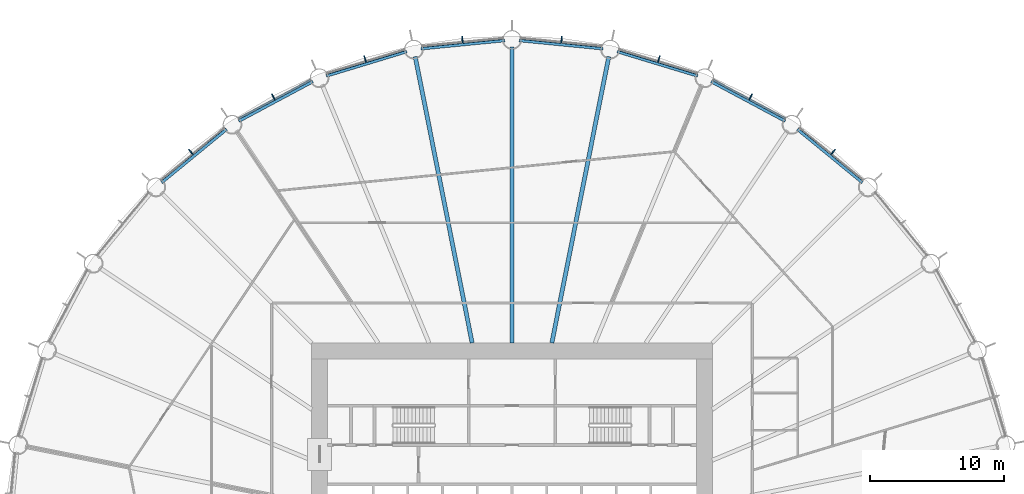
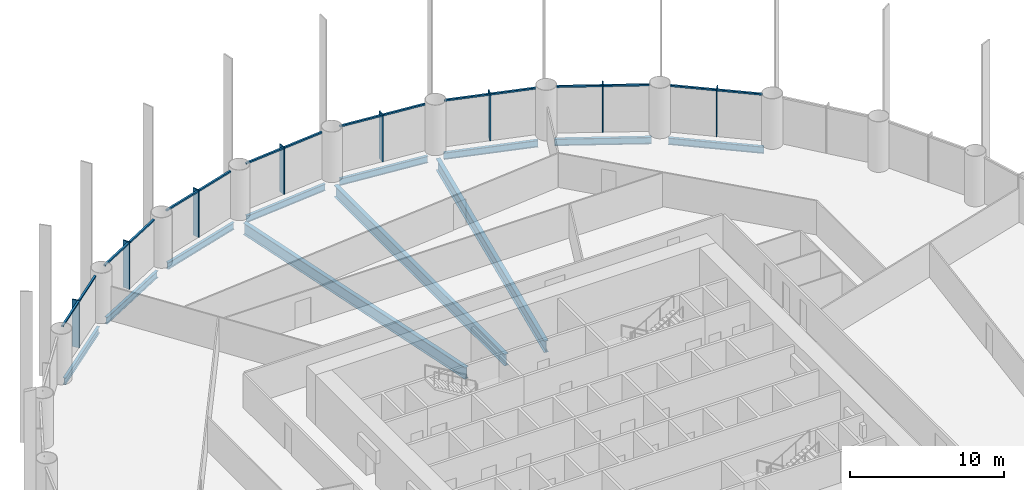
# One storey, part 6 of 14: 24 members, 11 beams, 8 elements without a shape of their own.
"""IFC4 building model written with IfcOpenShell, lengths in metres."""

from ifc_helpers import new_model, si_unit, direction, frame, origin, origin_2d, place, context, subcontext, project, spatial, rectangle, i_section, extrude, material, material_profile, profile_set, type_object, element, aggregate, save


model = new_model("IFC4")

# Units and contexts
model_context = context("Model", 3, precision=1e-05, world=origin(), true_north=direction((0.0, 1.0)))
body_context = subcontext(model_context, "Body", "Model", "MODEL_VIEW")
ifc_project = project(units=[si_unit("LENGTHUNIT", "METRE"), si_unit("AREAUNIT", "SQUARE_METRE"), si_unit("VOLUMEUNIT", "CUBIC_METRE"), si_unit("PLANEANGLEUNIT", "RADIAN"), si_unit("MASSUNIT", "GRAM", prefix="KILO")], contexts=[model_context])

# Site, building, storey
site_placement = place(None, origin())
site = spatial("IfcSite", under=ifc_project, at=site_placement, CompositionType="ELEMENT")
building_placement = place(site_placement, origin())
building = spatial("IfcBuilding", under=site, at=building_placement, Name="Corvane Civic Tower", CompositionType="ELEMENT")
storey_placement = place(building_placement, frame((0.0, 0.0, 53.0)))
storey = spatial("IfcBuildingStorey", under=building, at=storey_placement, Name="L11", CompositionType="ELEMENT", Elevation=53.0)

# Beams
ifc_material_1 = material(Name="Steel ASTM A992 Gr 50", Category="steel")
ifc_material_profile_1 = material_profile(ifc_material_1, i_section(OverallWidth=0.209228515625, OverallDepth=0.533447265625, WebThickness=0.01025390625, FlangeThickness=0.015625, at=origin_2d()), Name="W21X62")
ifc_profile_set_1 = profile_set([ifc_material_profile_1], Name="Steel ASTM A992 Gr 50")
beam_type_1 = type_object("IfcBeamType", Name="EDGE BEAM W21X62", PredefinedType="BEAM", material=ifc_profile_set_1)
beam_1_placement = place(storey_placement, frame((0.54736328125, 37.64599609375, -0.566650390625), z_axis=(0.995186682089, -0.097997284622, 0.0), x_axis=(0.097997284622, 0.995186682089, 0.0)))
element("IfcBeam", 1, at=beam_1_placement, inside=storey, type_object=beam_type_1, Name="BM-L11-E01", PredefinedType="BEAM", context=body_context, shape_type="SweptSolid", body=[
    extrude(i_section(OverallWidth=0.209228515625, OverallDepth=0.533447265625, WebThickness=0.01025390625, FlangeThickness=0.015625, at=origin_2d()), origin(), (0.0, 0.0, 1.0), 6.29052734375),
])
for number, where, z_axis, x_axis, name in (
    (2, (7.88134765625, 36.81591796875, -0.566650390625), (0.956943740748, -0.290273452184, 0.0), (0.290273452184, 0.956943740748, 0.0), "BM-L11-E02"),
    (3, (14.912353515625, 34.571044921875, -0.566650390625), (0.881916367906, -0.471405897311, 0.0), (0.471405897311, 0.881916367906, 0.0), "BM-L11-E03"),
):
    element("IfcBeam", number, at=place(storey_placement, frame(where, z_axis=z_axis, x_axis=x_axis)), inside=storey, type_object=beam_type_1, Name=name, PredefinedType="BEAM", context=body_context, shape_type="SweptSolid", body=[
        extrude(i_section(OverallWidth=0.209228515625, OverallDepth=0.533447265625, WebThickness=0.01025390625, FlangeThickness=0.015625, at=origin_2d()), origin(), (0.0, 0.0, 1.0), 6.290283203125),
    ])
for number, where, z_axis, x_axis, name in (
    (4, (21.3701171875, 30.99755859375, -0.566650390625), (0.773015785286, -0.634386787141, 0.0), (0.634386787141, 0.773015785286, 0.0), "BM-L11-E04"),
    (5, (-26.23291015625, 27.0068359375, -0.566650390625), (0.773015785286, 0.634386787141, 0.0), (-0.634386787141, 0.773015785286, 0.0), "BM-L11-E29"),
):
    element("IfcBeam", number, at=place(storey_placement, frame(where, z_axis=z_axis, x_axis=x_axis)), inside=storey, type_object=beam_type_1, Name=name, PredefinedType="BEAM", context=body_context, shape_type="SweptSolid", body=[
        extrude(i_section(OverallWidth=0.209228515625, OverallDepth=0.533447265625, WebThickness=0.01025390625, FlangeThickness=0.015625, at=origin_2d()), origin(), (0.0, 0.0, 1.0), 6.290771484375),
    ])
for number, where, z_axis, x_axis, name in (
    (6, (-20.4599609375, 31.605712890625, -0.566650390625), (0.881916367906, 0.471405897311, 0.0), (-0.471405897311, 0.881916367906, 0.0), "BM-L11-E30"),
    (7, (-13.90087890625, 34.989990234375, -0.566650390625), (0.956943740748, 0.290273452184, 0.0), (-0.290273452184, 0.956943740748, 0.0), "BM-L11-E31"),
):
    element("IfcBeam", number, at=place(storey_placement, frame(where, z_axis=z_axis, x_axis=x_axis)), inside=storey, type_object=beam_type_1, Name=name, PredefinedType="BEAM", context=body_context, shape_type="SweptSolid", body=[
        extrude(i_section(OverallWidth=0.209228515625, OverallDepth=0.533447265625, WebThickness=0.01025390625, FlangeThickness=0.015625, at=origin_2d()), origin(), (0.0, 0.0, 1.0), 6.290283203125),
    ])
beam_2_placement = place(storey_placement, frame((-6.8076171875, 37.029541015625, -0.566650390625), z_axis=(0.995186682089, 0.097997284622, 0.0), x_axis=(-0.097997284622, 0.995186682089, 0.0)))
element("IfcBeam", 8, at=beam_2_placement, inside=storey, type_object=beam_type_1, Name="BM-L11-E32", PredefinedType="BEAM", context=body_context, shape_type="SweptSolid", body=[
    extrude(i_section(OverallWidth=0.209228515625, OverallDepth=0.533447265625, WebThickness=0.01025390625, FlangeThickness=0.015625, at=origin_2d()), origin(), (0.0, 0.0, 1.0), 6.29052734375),
])
ifc_material_2 = material(Name="Steel ASTM A992 Gr 50", Category="steel")
ifc_material_profile_2 = material_profile(ifc_material_2, i_section(OverallWidth=0.307373046875, OverallDepth=0.927001953125, WebThickness=0.01953125, FlangeThickness=0.031982421875, at=origin_2d()), Name="W36X194")
ifc_profile_set_2 = profile_set([ifc_material_profile_2], Name="Steel ASTM A992 Gr 50")
beam_type_2 = type_object("IfcBeamType", Name="FLOOR GIRDER W36X194", PredefinedType="BEAM", material=ifc_profile_set_2)
beam_3_placement = place(storey_placement, frame((0.0, 15.0, -0.763671875), z_axis=(0.0, 1.0, 0.0), x_axis=(-1.0, 0.0, 0.0)))
element("IfcBeam", 9, at=beam_3_placement, inside=storey, type_object=beam_type_2, Name="BM-L11-G01", PredefinedType="BEAM", context=body_context, shape_type="SweptSolid", body=[
    extrude(i_section(OverallWidth=0.307373046875, OverallDepth=0.927001953125, WebThickness=0.01953125, FlangeThickness=0.031982421875, at=origin_2d()), origin(), (0.0, 0.0, 1.0), 22.14990234375),
])
for number, where, z_axis, x_axis, name in (
    (10, (2.983642578125, 15.0, -0.763671875), (0.195089219638, 0.980785499679, 0.0), (-0.980785499679, 0.195089219638, 0.0), "BM-L11-G02"),
    (11, (-2.983642578125, 15.0, -0.763671875), (-0.195089219638, 0.980785499679, 0.0), (-0.980785499679, -0.195089219638, 0.0), "BM-L11-G32"),
):
    element("IfcBeam", number, at=place(storey_placement, frame(where, z_axis=z_axis, x_axis=x_axis)), inside=storey, type_object=beam_type_2, Name=name, PredefinedType="BEAM", context=body_context, shape_type="SweptSolid", body=[
        extrude(i_section(OverallWidth=0.307373046875, OverallDepth=0.927001953125, WebThickness=0.01953125, FlangeThickness=0.031982421875, at=origin_2d()), origin(), (0.0, 0.0, 1.0), 21.856201171875),
    ])

# Curtain wall, members
ifc_material_3 = material(Name="Anodised aluminium bronze", Category="aluminium")
curtain_wall_type = type_object("IfcCurtainWallType", Name="TOWER CW-T1 STICK CURTAIN WALL", PredefinedType="NOTDEFINED", material=ifc_material_3)
curtain_wall_1_placement = place(storey_placement, origin())
curtain_wall_1 = element("IfcCurtainWall", 12, at=curtain_wall_1_placement, inside=storey, type_object=curtain_wall_type, Name="Curtain wall CW-T1 L11 bay 01", PredefinedType="NOTDEFINED")
ifc_material_4 = material(Name="Anodised aluminium bronze", Category="aluminium")
ifc_material_profile_3 = material_profile(ifc_material_4, rectangle(XDim=0.139892578125, YDim=0.1201171875, at=origin_2d()), Name="TOWER CW-T1 TRANSOM 140x120")
ifc_profile_set_3 = profile_set([ifc_material_profile_3], Name="Anodised aluminium bronze")
member_type_1 = type_object("IfcMemberType", Name="TOWER CW-T1 TRANSOM 140x120", PredefinedType="USERDEFINED", material=ifc_profile_set_3)
member_1_placement = place(storey_placement, frame((0.6611328125, 37.814697265625, 3.68994140625), z_axis=(0.995191836722, -0.097944923917, 0.0), x_axis=(0.097944923917, 0.995191836722, 0.0)))
member_1 = element("IfcMember", 13, at=member_1_placement, type_object=member_type_1, Name="Transom CW-T1 L11 01.1", ObjectType="TRANSOM", PredefinedType="USERDEFINED", context=body_context, shape_type="SweptSolid", body=[
    extrude(rectangle(XDim=0.139892578125, YDim=0.1201171875, at=origin_2d()), origin(), (0.0, 0.0, 1.0), 3.008544921875),
])
member_2_placement = place(storey_placement, frame((3.73486328125, 37.511962890625, 3.68994140625), z_axis=(0.995191836722, -0.097944923917, 0.0), x_axis=(0.097944923917, 0.995191836722, 0.0)))
member_2 = element("IfcMember", 14, at=member_2_placement, type_object=member_type_1, Name="Transom CW-T1 L11 01.2", ObjectType="TRANSOM", PredefinedType="USERDEFINED", context=body_context, shape_type="SweptSolid", body=[
    extrude(rectangle(XDim=0.139892578125, YDim=0.1201171875, at=origin_2d()), origin(), (0.0, 0.0, 1.0), 3.008544921875),
])

curtain_wall_2_placement = place(storey_placement, origin())
curtain_wall_2 = element("IfcCurtainWall", 15, at=curtain_wall_2_placement, inside=storey, type_object=curtain_wall_type, Name="Curtain wall CW-T1 L11 bay 02", PredefinedType="NOTDEFINED")
member_3_placement = place(storey_placement, frame((8.02587890625, 36.959228515625, 3.68994140625), z_axis=(0.956941780555, -0.290279914268, 0.0), x_axis=(0.290279914268, 0.956941780555, 0.0)))
member_3 = element("IfcMember", 16, at=member_3_placement, type_object=member_type_1, Name="Transom CW-T1 L11 02.1", ObjectType="TRANSOM", PredefinedType="USERDEFINED", context=body_context, shape_type="SweptSolid", body=[
    extrude(rectangle(XDim=0.139892578125, YDim=0.1201171875, at=origin_2d()), origin(), (0.0, 0.0, 1.0), 3.008544921875),
])
member_4_placement = place(storey_placement, frame((10.9814453125, 36.062744140625, 3.68994140625), z_axis=(0.956941780555, -0.290279914268, 0.0), x_axis=(0.290279914268, 0.956941780555, 0.0)))
member_4 = element("IfcMember", 17, at=member_4_placement, type_object=member_type_1, Name="Transom CW-T1 L11 02.2", ObjectType="TRANSOM", PredefinedType="USERDEFINED", context=body_context, shape_type="SweptSolid", body=[
    extrude(rectangle(XDim=0.139892578125, YDim=0.1201171875, at=origin_2d()), origin(), (0.0, 0.0, 1.0), 3.008544921875),
])

curtain_wall_3_placement = place(storey_placement, origin())
curtain_wall_3 = element("IfcCurtainWall", 18, at=curtain_wall_3_placement, inside=storey, type_object=curtain_wall_type, Name="Curtain wall CW-T1 L11 bay 03", PredefinedType="NOTDEFINED")
member_5_placement = place(storey_placement, frame((15.08203125, 34.683349609375, 3.68994140625), z_axis=(0.881923525532, -0.471392506424, 0.0), x_axis=(0.471392506424, 0.881923525532, 0.0)))
member_5 = element("IfcMember", 19, at=member_5_placement, type_object=member_type_1, Name="Transom CW-T1 L11 03.1", ObjectType="TRANSOM", PredefinedType="USERDEFINED", context=body_context, shape_type="SweptSolid", body=[
    extrude(rectangle(XDim=0.139892578125, YDim=0.1201171875, at=origin_2d()), origin(), (0.0, 0.0, 1.0), 3.008544921875),
])
member_6_placement = place(storey_placement, frame((17.805908203125, 33.2275390625, 3.68994140625), z_axis=(0.881923525532, -0.471392506424, 0.0), x_axis=(0.471392506424, 0.881923525532, 0.0)))
member_6 = element("IfcMember", 20, at=member_6_placement, type_object=member_type_1, Name="Transom CW-T1 L11 03.2", ObjectType="TRANSOM", PredefinedType="USERDEFINED", context=body_context, shape_type="SweptSolid", body=[
    extrude(rectangle(XDim=0.139892578125, YDim=0.1201171875, at=origin_2d()), origin(), (0.0, 0.0, 1.0), 3.008544921875),
])

curtain_wall_4_placement = place(storey_placement, origin())
curtain_wall_4 = element("IfcCurtainWall", 21, at=curtain_wall_4_placement, inside=storey, type_object=curtain_wall_type, Name="Curtain wall CW-T1 L11 bay 04", PredefinedType="NOTDEFINED")
member_7_placement = place(storey_placement, frame((21.55859375, 31.074462890625, 3.68994140625), z_axis=(0.773041738279, -0.634355161466, 0.0), x_axis=(0.634355161466, 0.773041738279, 0.0)))
member_7 = element("IfcMember", 22, at=member_7_placement, type_object=member_type_1, Name="Transom CW-T1 L11 04.1", ObjectType="TRANSOM", PredefinedType="USERDEFINED", context=body_context, shape_type="SweptSolid", body=[
    extrude(rectangle(XDim=0.139892578125, YDim=0.1201171875, at=origin_2d()), origin(), (0.0, 0.0, 1.0), 3.008544921875),
])
member_8_placement = place(storey_placement, frame((23.946044921875, 29.115234375, 3.68994140625), z_axis=(0.773001943873, -0.634403652865, 0.0), x_axis=(0.634403652865, 0.773001943873, 0.0)))
member_8 = element("IfcMember", 23, at=member_8_placement, type_object=member_type_1, Name="Transom CW-T1 L11 04.2", ObjectType="TRANSOM", PredefinedType="USERDEFINED", context=body_context, shape_type="SweptSolid", body=[
    extrude(rectangle(XDim=0.139892578125, YDim=0.1201171875, at=origin_2d()), origin(), (0.0, 0.0, 1.0), 3.008544921875),
])

curtain_wall_5_placement = place(storey_placement, origin())
curtain_wall_5 = element("IfcCurtainWall", 24, at=curtain_wall_5_placement, inside=storey, type_object=curtain_wall_type, Name="Curtain wall CW-T1 L11 bay 29", PredefinedType="NOTDEFINED")
member_9_placement = place(storey_placement, frame((-26.271728515625, 27.20654296875, 3.68994140625), z_axis=(0.773001943873, 0.634403652865, 0.0), x_axis=(-0.634403652865, 0.773001943873, 0.0)))
member_9 = element("IfcMember", 25, at=member_9_placement, type_object=member_type_1, Name="Transom CW-T1 L11 29.1", ObjectType="TRANSOM", PredefinedType="USERDEFINED", context=body_context, shape_type="SweptSolid", body=[
    extrude(rectangle(XDim=0.139892578125, YDim=0.1201171875, at=origin_2d()), origin(), (0.0, 0.0, 1.0), 3.008544921875),
])
member_10_placement = place(storey_placement, frame((-23.88427734375, 29.166015625, 3.68994140625), z_axis=(0.773041738279, 0.634355161466, 0.0), x_axis=(-0.634355161466, 0.773041738279, 0.0)))
member_10 = element("IfcMember", 26, at=member_10_placement, type_object=member_type_1, Name="Transom CW-T1 L11 29.2", ObjectType="TRANSOM", PredefinedType="USERDEFINED", context=body_context, shape_type="SweptSolid", body=[
    extrude(rectangle(XDim=0.139892578125, YDim=0.1201171875, at=origin_2d()), origin(), (0.0, 0.0, 1.0), 3.008544921875),
])

curtain_wall_6_placement = place(storey_placement, origin())
curtain_wall_6 = element("IfcCurtainWall", 27, at=curtain_wall_6_placement, inside=storey, type_object=curtain_wall_type, Name="Curtain wall CW-T1 L11 bay 30", PredefinedType="NOTDEFINED")
member_11_placement = place(storey_placement, frame((-20.459228515625, 31.809326171875, 3.68994140625), z_axis=(0.881923525532, 0.471392506424, 0.0), x_axis=(-0.471392506424, 0.881923525532, 0.0)))
member_11 = element("IfcMember", 28, at=member_11_placement, type_object=member_type_1, Name="Transom CW-T1 L11 30.1", ObjectType="TRANSOM", PredefinedType="USERDEFINED", context=body_context, shape_type="SweptSolid", body=[
    extrude(rectangle(XDim=0.139892578125, YDim=0.1201171875, at=origin_2d()), origin(), (0.0, 0.0, 1.0), 3.008544921875),
])
member_12_placement = place(storey_placement, frame((-17.7353515625, 33.26513671875, 3.68994140625), z_axis=(0.881923525532, 0.471392506424, 0.0), x_axis=(-0.471392506424, 0.881923525532, 0.0)))
member_12 = element("IfcMember", 29, at=member_12_placement, type_object=member_type_1, Name="Transom CW-T1 L11 30.2", ObjectType="TRANSOM", PredefinedType="USERDEFINED", context=body_context, shape_type="SweptSolid", body=[
    extrude(rectangle(XDim=0.139892578125, YDim=0.1201171875, at=origin_2d()), origin(), (0.0, 0.0, 1.0), 3.008544921875),
])

curtain_wall_7_placement = place(storey_placement, origin())
curtain_wall_7 = element("IfcCurtainWall", 30, at=curtain_wall_7_placement, inside=storey, type_object=curtain_wall_type, Name="Curtain wall CW-T1 L11 bay 31", PredefinedType="NOTDEFINED")
member_13_placement = place(storey_placement, frame((-13.8603515625, 35.189453125, 3.68994140625), z_axis=(0.956941780555, 0.290279914268, 0.0), x_axis=(-0.290279914268, 0.956941780555, 0.0)))
member_13 = element("IfcMember", 31, at=member_13_placement, type_object=member_type_1, Name="Transom CW-T1 L11 31.1", ObjectType="TRANSOM", PredefinedType="USERDEFINED", context=body_context, shape_type="SweptSolid", body=[
    extrude(rectangle(XDim=0.139892578125, YDim=0.1201171875, at=origin_2d()), origin(), (0.0, 0.0, 1.0), 3.008544921875),
])
member_14_placement = place(storey_placement, frame((-10.90478515625, 36.0859375, 3.68994140625), z_axis=(0.956941780555, 0.290279914268, 0.0), x_axis=(-0.290279914268, 0.956941780555, 0.0)))
member_14 = element("IfcMember", 32, at=member_14_placement, type_object=member_type_1, Name="Transom CW-T1 L11 31.2", ObjectType="TRANSOM", PredefinedType="USERDEFINED", context=body_context, shape_type="SweptSolid", body=[
    extrude(rectangle(XDim=0.139892578125, YDim=0.1201171875, at=origin_2d()), origin(), (0.0, 0.0, 1.0), 3.008544921875),
])

curtain_wall_8_placement = place(storey_placement, origin())
curtain_wall_8 = element("IfcCurtainWall", 33, at=curtain_wall_8_placement, inside=storey, type_object=curtain_wall_type, Name="Curtain wall CW-T1 L11 bay 32", PredefinedType="NOTDEFINED")
member_15_placement = place(storey_placement, frame((-6.72900390625, 37.21728515625, 3.68994140625), z_axis=(0.995191836722, 0.097944923917, 0.0), x_axis=(-0.097944923917, 0.995191836722, 0.0)))
member_15 = element("IfcMember", 34, at=member_15_placement, type_object=member_type_1, Name="Transom CW-T1 L11 32.1", ObjectType="TRANSOM", PredefinedType="USERDEFINED", context=body_context, shape_type="SweptSolid", body=[
    extrude(rectangle(XDim=0.139892578125, YDim=0.1201171875, at=origin_2d()), origin(), (0.0, 0.0, 1.0), 3.008544921875),
])
member_16_placement = place(storey_placement, frame((-3.6552734375, 37.52001953125, 3.68994140625), z_axis=(0.995191836722, 0.097944923917, 0.0), x_axis=(-0.097944923917, 0.995191836722, 0.0)))
member_16 = element("IfcMember", 35, at=member_16_placement, type_object=member_type_1, Name="Transom CW-T1 L11 32.2", ObjectType="TRANSOM", PredefinedType="USERDEFINED", context=body_context, shape_type="SweptSolid", body=[
    extrude(rectangle(XDim=0.139892578125, YDim=0.1201171875, at=origin_2d()), origin(), (0.0, 0.0, 1.0), 3.008544921875),
])

# Member
ifc_material_5 = material(Name="Anodised aluminium bronze", Category="aluminium")
ifc_material_profile_4 = material_profile(ifc_material_5, rectangle(XDim=0.080078125, YDim=0.5, at=origin_2d()), Name="TOWER FIN MULLION 80x500 BRONZE")
ifc_profile_set_4 = profile_set([ifc_material_profile_4], Name="Anodised aluminium bronze")
member_type_2 = type_object("IfcMemberType", Name="TOWER FIN MULLION 80x500 BRONZE", PredefinedType="MULLION", material=ifc_profile_set_4)
member_17_placement = place(storey_placement, frame((3.714599609375, 37.715087890625, 0.0), z_axis=(0.0, 0.0, 1.0), x_axis=(0.995185800248, -0.098006239521, 0.0)))
member_17 = element("IfcMember", 36, at=member_17_placement, type_object=member_type_2, Name="Fin mullion 01 L11", PredefinedType="MULLION", context=body_context, shape_type="SweptSolid", body=[
    extrude(rectangle(XDim=0.080078125, YDim=0.5, at=origin_2d()), origin(), (0.0, 0.0, 1.0), 3.75),
])

aggregate(curtain_wall_1, [member_17, member_1, member_2])

member_18_placement = place(storey_placement, frame((11.001220703125, 36.265625, 0.0), z_axis=(0.0, 0.0, 1.0), x_axis=(0.956942240606, -0.290278397654, 0.0)))
member_18 = element("IfcMember", 37, at=member_18_placement, type_object=member_type_2, Name="Fin mullion 02 L11", PredefinedType="MULLION", context=body_context, shape_type="SweptSolid", body=[
    extrude(rectangle(XDim=0.080078125, YDim=0.5, at=origin_2d()), origin(), (0.0, 0.0, 1.0), 3.75),
])

aggregate(curtain_wall_2, [member_18, member_3, member_4])

member_19_placement = place(storey_placement, frame((17.86474609375, 33.422607421875, 0.0), z_axis=(0.0, 0.0, 1.0), x_axis=(0.881917528864, -0.471403725359, 0.0)))
member_19 = element("IfcMember", 38, at=member_19_placement, type_object=member_type_2, Name="Fin mullion 03 L11", PredefinedType="MULLION", context=body_context, shape_type="SweptSolid", body=[
    extrude(rectangle(XDim=0.080078125, YDim=0.5, at=origin_2d()), origin(), (0.0, 0.0, 1.0), 3.75),
])

aggregate(curtain_wall_3, [member_19, member_5, member_6])

member_20_placement = place(storey_placement, frame((24.0419921875, 29.295166015625, 0.0), z_axis=(0.0, 0.0, 1.0), x_axis=(0.773007224463, -0.634397218569, 0.0)))
member_20 = element("IfcMember", 39, at=member_20_placement, type_object=member_type_2, Name="Fin mullion 04 L11", PredefinedType="MULLION", context=body_context, shape_type="SweptSolid", body=[
    extrude(rectangle(XDim=0.080078125, YDim=0.5, at=origin_2d()), origin(), (0.0, 0.0, 1.0), 3.75),
])

aggregate(curtain_wall_4, [member_20, member_7, member_8])

member_21_placement = place(storey_placement, frame((-24.0419921875, 29.295166015625, 0.0), z_axis=(0.0, 0.0, 1.0), x_axis=(0.773007224463, 0.634397218569, 0.0)))
member_21 = element("IfcMember", 40, at=member_21_placement, type_object=member_type_2, Name="Fin mullion 29 L11", PredefinedType="MULLION", context=body_context, shape_type="SweptSolid", body=[
    extrude(rectangle(XDim=0.080078125, YDim=0.5, at=origin_2d()), origin(), (0.0, 0.0, 1.0), 3.75),
])

aggregate(curtain_wall_5, [member_21, member_9, member_10])

member_22_placement = place(storey_placement, frame((-17.86474609375, 33.422607421875, 0.0), z_axis=(0.0, 0.0, 1.0), x_axis=(0.881917528864, 0.471403725359, 0.0)))
member_22 = element("IfcMember", 41, at=member_22_placement, type_object=member_type_2, Name="Fin mullion 30 L11", PredefinedType="MULLION", context=body_context, shape_type="SweptSolid", body=[
    extrude(rectangle(XDim=0.080078125, YDim=0.5, at=origin_2d()), origin(), (0.0, 0.0, 1.0), 3.75),
])

aggregate(curtain_wall_6, [member_22, member_11, member_12])

member_23_placement = place(storey_placement, frame((-11.001220703125, 36.265625, 0.0), z_axis=(0.0, 0.0, 1.0), x_axis=(0.956942240606, 0.290278397654, 0.0)))
member_23 = element("IfcMember", 42, at=member_23_placement, type_object=member_type_2, Name="Fin mullion 31 L11", PredefinedType="MULLION", context=body_context, shape_type="SweptSolid", body=[
    extrude(rectangle(XDim=0.080078125, YDim=0.5, at=origin_2d()), origin(), (0.0, 0.0, 1.0), 3.75),
])

aggregate(curtain_wall_7, [member_23, member_13, member_14])

member_24_placement = place(storey_placement, frame((-3.714599609375, 37.715087890625, 0.0), z_axis=(0.0, 0.0, 1.0), x_axis=(0.995185800248, 0.098006239521, 0.0)))
member_24 = element("IfcMember", 43, at=member_24_placement, type_object=member_type_2, Name="Fin mullion 32 L11", PredefinedType="MULLION", context=body_context, shape_type="SweptSolid", body=[
    extrude(rectangle(XDim=0.080078125, YDim=0.5, at=origin_2d()), origin(), (0.0, 0.0, 1.0), 3.75),
])

aggregate(curtain_wall_8, [member_24, member_15, member_16])

save(model, "model.ifc")
